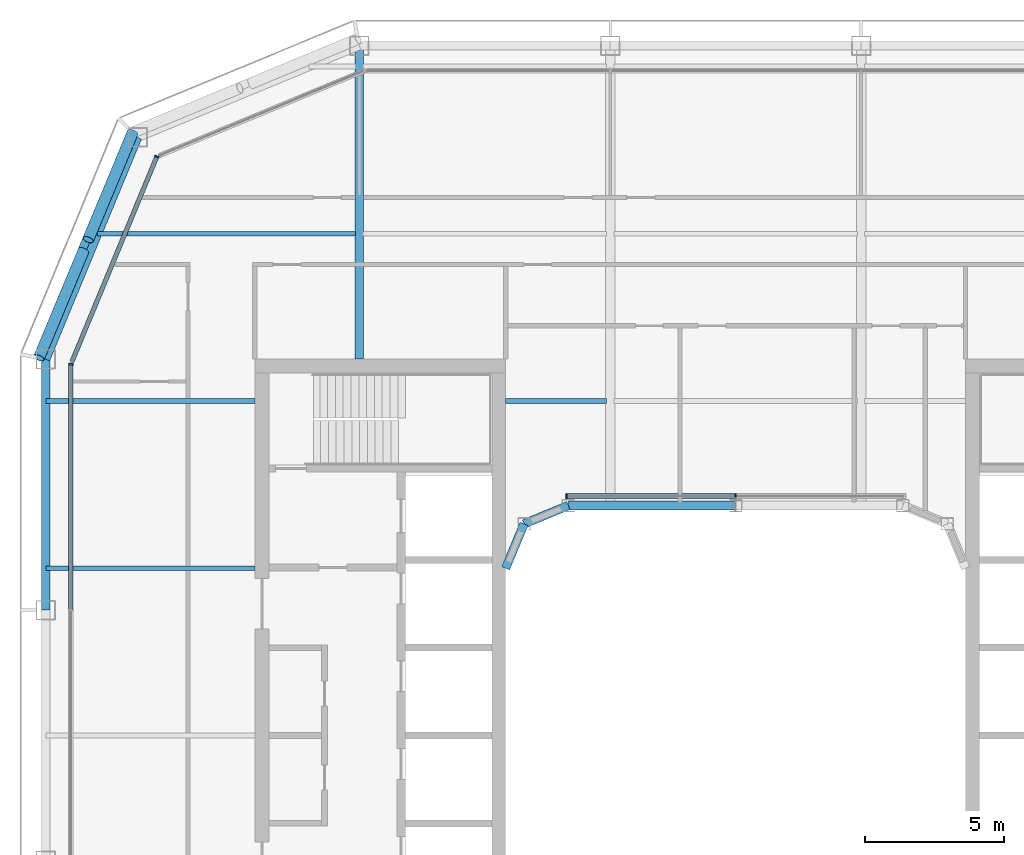
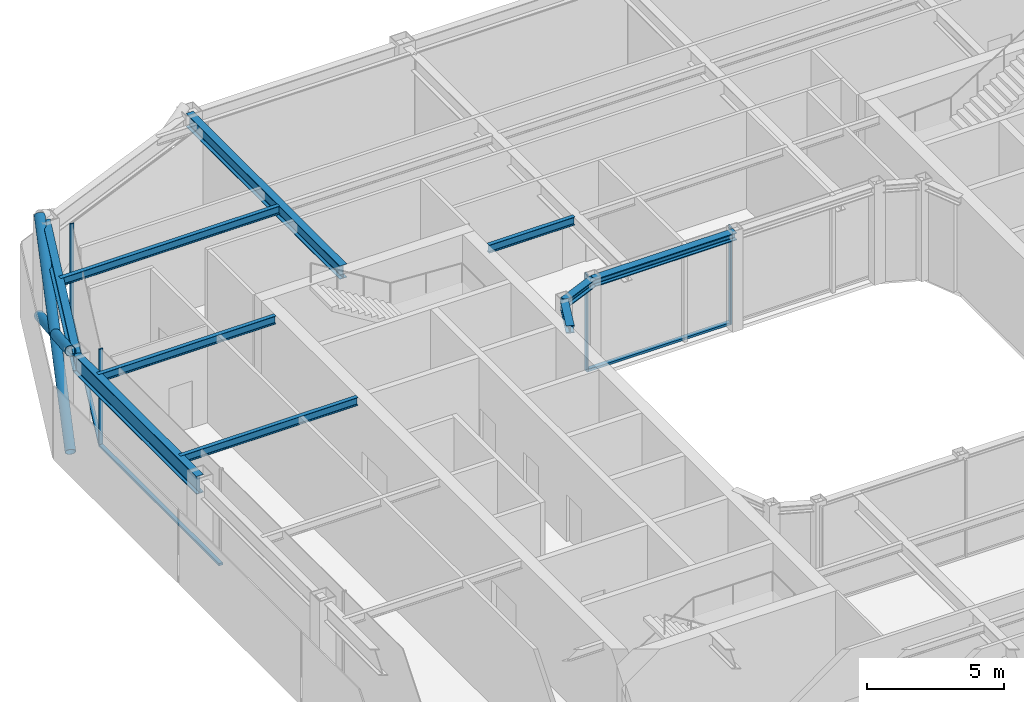
# One storey, part 7 of 21: 10 beams, 10 members, 3 elements without a shape of their own.
"""IFC4 building model written with IfcOpenShell, lengths in metres."""

from ifc_helpers import new_model, si_unit, direction, frame, origin, origin_2d, place, context, subcontext, project, spatial, rectangle, hollow_circle, i_section, extrude, material, layer, layer_set, material_profile, profile_set, type_object, element, aggregate, save


model = new_model("IFC4")

# Units and contexts
model_context = context("Model", 3, precision=1e-05, world=origin(), true_north=direction((0.0, 1.0)))
body_context = subcontext(model_context, "Body", "Model", "MODEL_VIEW")
ifc_project = project(units=[si_unit("LENGTHUNIT", "METRE"), si_unit("AREAUNIT", "SQUARE_METRE"), si_unit("VOLUMEUNIT", "CUBIC_METRE"), si_unit("PLANEANGLEUNIT", "RADIAN"), si_unit("MASSUNIT", "GRAM", prefix="KILO")], contexts=[model_context])

# Site, building, storey
site_placement = place(None, origin())
site = spatial("IfcSite", under=ifc_project, at=site_placement, CompositionType="ELEMENT")
building_placement = place(site_placement, origin())
building = spatial("IfcBuilding", under=site, at=building_placement, Name="Siwar Civic Tower", CompositionType="ELEMENT")
storey_placement = place(building_placement, frame((0.0, 0.0, 339.199951171875)))
storey = spatial("IfcBuildingStorey", under=building, at=storey_placement, Name="L73", CompositionType="ELEMENT", Elevation=339.199951171875)

# Curtain wall, member
ifc_material_1 = material(Name="Aluminium clad insulated panel", Category="aluminium")
ifc_layer_1 = layer(ifc_material_1, 0.159912109375)
ifc_layer_set_1 = layer_set([ifc_layer_1], Name="Aluminium clad insulated panel")
curtain_wall_type_1 = type_object("IfcCurtainWallType", Name="ENV-CW-DX", PredefinedType="NOTDEFINED", material=ifc_layer_set_1)
curtain_wall_1_placement = place(storey_placement, origin())
curtain_wall_1 = element("IfcCurtainWall", 1, at=curtain_wall_1_placement, inside=storey, type_object=curtain_wall_type_1, Name="Curtain wall D NW2", PredefinedType="NOTDEFINED")
ifc_material_2 = material(Name="Aluminium 6063-T6", Category="aluminium")
ifc_material_profile_1 = material_profile(ifc_material_2, rectangle(XDim=0.159912109375, YDim=0.06005859375, at=origin_2d()), Name="AL 160x60")
ifc_profile_set_1 = profile_set([ifc_material_profile_1], Name="Aluminium 6063-T6")
member_type_1 = type_object("IfcMemberType", Name="ENV-MULLION-D", PredefinedType="MULLION", material=ifc_profile_set_1)
member_1_placement = place(storey_placement, frame((-20.76611328125, 20.76611328125, 0.0), z_axis=(0.0, 0.0, 1.0), x_axis=(0.923879532511, -0.382683432365, 0.0)))
member_1 = element("IfcMember", 2, at=member_1_placement, type_object=member_type_1, Name="Mullion D NW2 1", PredefinedType="MULLION", context=body_context, shape_type="SweptSolid", body=[
    extrude(rectangle(XDim=0.159912109375, YDim=0.06005859375, at=origin_2d()), origin(), (0.0, 0.0, 1.0), 4.35009765625),
])

ifc_material_3 = material(Name="Aluminium and glass", Category="aluminium")
ifc_layer_2 = layer(ifc_material_3, 0.159912109375)
ifc_layer_set_2 = layer_set([ifc_layer_2], Name="Aluminium and glass")
curtain_wall_type_2 = type_object("IfcCurtainWallType", Name="ENV-CW-D", PredefinedType="NOTDEFINED", material=ifc_layer_set_2)
curtain_wall_2_placement = place(storey_placement, origin())
curtain_wall_2 = element("IfcCurtainWall", 3, at=curtain_wall_2_placement, inside=storey, type_object=curtain_wall_type_2, Name="Curtain wall D W", PredefinedType="NOTDEFINED")
member_2_placement = place(storey_placement, frame((-23.85009765625, 13.321044921875, 0.0), z_axis=(0.0, 0.0, 1.0), x_axis=(1.0, 0.0, 0.0)))
member_2 = element("IfcMember", 4, at=member_2_placement, type_object=member_type_1, Name="Mullion D W 1", PredefinedType="MULLION", context=body_context, shape_type="SweptSolid", body=[
    extrude(rectangle(XDim=0.159912109375, YDim=0.06005859375, at=origin_2d()), origin(), (0.0, 0.0, 1.0), 4.35009765625),
])

# Curtain wall, members
ifc_material_4 = material(Name="Aluminium and glass", Category="aluminium")
ifc_layer_3 = layer(ifc_material_4, 0.179931640625)
ifc_layer_set_3 = layer_set([ifc_layer_3], Name="Aluminium and glass")
curtain_wall_type_3 = type_object("IfcCurtainWallType", Name="ENV-CW-W", PredefinedType="NOTDEFINED", material=ifc_layer_set_3)
curtain_wall_3_placement = place(storey_placement, origin())
curtain_wall_3 = element("IfcCurtainWall", 5, at=curtain_wall_3_placement, inside=storey, type_object=curtain_wall_type_3, Name="Curtain wall W WN", PredefinedType="NOTDEFINED")
ifc_material_5 = material(Name="Aluminium 6063-T6", Category="aluminium")
ifc_material_profile_2 = material_profile(ifc_material_5, rectangle(XDim=0.179931640625, YDim=0.06005859375, at=origin_2d()), Name="AL 180x60")
ifc_profile_set_2 = profile_set([ifc_material_profile_2], Name="Aluminium 6063-T6")
member_type_2 = type_object("IfcMemberType", Name="ENV-MULLION-W", PredefinedType="MULLION", material=ifc_profile_set_2)
member_3_placement = place(storey_placement, frame((0.0, 8.5849609375, 0.0), z_axis=(0.0, 0.0, 1.0), x_axis=(0.0, -1.0, 0.0)))
member_3 = element("IfcMember", 6, at=member_3_placement, type_object=member_type_2, Name="Mullion W WN 2", PredefinedType="MULLION", context=body_context, shape_type="SweptSolid", body=[
    extrude(rectangle(XDim=0.179931640625, YDim=0.06005859375, at=origin_2d()), origin(), (0.0, 0.0, 1.0), 4.35009765625),
])
member_4_placement = place(storey_placement, frame((-6.066650390625, 8.5849609375, 0.0), z_axis=(0.0, 0.0, 1.0), x_axis=(0.0, -1.0, 0.0)))
member_4 = element("IfcMember", 7, at=member_4_placement, type_object=member_type_2, Name="Mullion W WN 3", PredefinedType="MULLION", context=body_context, shape_type="SweptSolid", body=[
    extrude(rectangle(XDim=0.179931640625, YDim=0.06005859375, at=origin_2d()), origin(), (0.0, 0.0, 1.0), 4.35009765625),
])

# Member
ifc_material_6 = material(Name="Aluminium 6063-T6", Category="aluminium")
ifc_material_profile_3 = material_profile(ifc_material_6, rectangle(XDim=0.159912109375, YDim=0.10009765625, at=origin_2d()), Name="AL 160x100")
ifc_profile_set_3 = profile_set([ifc_material_profile_3], Name="Aluminium 6063-T6")
member_type_3 = type_object("IfcMemberType", Name="ENV-TRANSOM-D", PredefinedType="USERDEFINED", material=ifc_profile_set_3)
member_5_placement = place(storey_placement, frame((-20.777587890625, 20.738525390625, 0.050048828125), z_axis=(-0.382673515031, -0.923883640343, 0.0), x_axis=(0.923883640343, -0.382673515031, 0.0)))
member_5 = element("IfcMember", 8, at=member_5_placement, type_object=member_type_3, Name="Transom D NW2 1", ObjectType="TRANSOM", PredefinedType="USERDEFINED", context=body_context, shape_type="SweptSolid", body=[
    extrude(rectangle(XDim=0.159912109375, YDim=0.10009765625, at=origin_2d()), origin(), (0.0, 0.0, 1.0), 7.930908203125),
])

aggregate(curtain_wall_1, [member_1, member_5])

member_6_placement = place(storey_placement, frame((-23.85009765625, 13.291015625, 0.050048828125), z_axis=(0.0, -1.0, 0.0), x_axis=(1.0, 0.0, 0.0)))
member_6 = element("IfcMember", 9, at=member_6_placement, type_object=member_type_3, Name="Transom D W 1", ObjectType="TRANSOM", PredefinedType="USERDEFINED", context=body_context, shape_type="SweptSolid", body=[
    extrude(rectangle(XDim=0.159912109375, YDim=0.10009765625, at=origin_2d()), origin(), (0.0, 0.0, 1.0), 8.760986328125),
])

aggregate(curtain_wall_2, [member_2, member_6])

ifc_material_7 = material(Name="Aluminium 6063-T6", Category="aluminium")
ifc_material_profile_4 = material_profile(ifc_material_7, rectangle(XDim=0.179931640625, YDim=0.10009765625, at=origin_2d()), Name="AL 180x100")
ifc_profile_set_4 = profile_set([ifc_material_profile_4], Name="Aluminium 6063-T6")
member_type_4 = type_object("IfcMemberType", Name="ENV-TRANSOM-W", PredefinedType="USERDEFINED", material=ifc_profile_set_4)
member_7_placement = place(storey_placement, frame((-0.030029296875, 8.5849609375, 0.050048828125), z_axis=(-1.0, 0.0, 0.0), x_axis=(0.0, -1.0, 0.0)))
member_7 = element("IfcMember", 10, at=member_7_placement, type_object=member_type_4, Name="Transom W WN 2", ObjectType="TRANSOM", PredefinedType="USERDEFINED", context=body_context, shape_type="SweptSolid", body=[
    extrude(rectangle(XDim=0.179931640625, YDim=0.10009765625, at=origin_2d()), origin(), (0.0, 0.0, 1.0), 6.006591796875),
])

aggregate(curtain_wall_3, [member_3, member_4, member_7])

# Members
ifc_material_8 = material(Name="Steel S355", Category="steel")
ifc_material_profile_5 = material_profile(ifc_material_8, hollow_circle(Radius=0.203125, WallThickness=0.01611328125, at=origin_2d()), Name="CHS406.4x16")
ifc_profile_set_5 = profile_set([ifc_material_profile_5], Name="Steel S355")
member_type_5 = type_object("IfcMemberType", Name="STR-BR-CHS406.4x16", PredefinedType="BRACE", material=ifc_profile_set_5)
member_8_placement = place(storey_placement, frame((-24.9951171875, 13.548828125, 0.0), z_axis=(0.341671493852, 0.821142553604, 0.457149315816), x_axis=(-0.923264922524, 0.384163874976, 0.0)))
element("IfcMember", 11, at=member_8_placement, inside=storey, type_object=member_type_5, Name="L73/brc/DNW1-12-0-1", PredefinedType="BRACE", context=body_context, shape_type="SweptSolid", body=[
    extrude(hollow_circle(Radius=0.203125, WallThickness=0.01611328125, at=origin_2d()), origin(), (0.0, 0.0, 1.0), 9.843505859375),
])
member_9_placement = place(storey_placement, frame((-21.6318359375, 21.6318359375, 0.0), z_axis=(-0.341644380467, -0.821147096886, 0.457161418507), x_axis=(0.923276488787, -0.38413607648, 0.0)))
element("IfcMember", 12, at=member_9_placement, inside=storey, type_object=member_type_5, Name="L73/brc/DNW1-12-0-2", PredefinedType="BRACE", context=body_context, shape_type="SweptSolid", body=[
    extrude(hollow_circle(Radius=0.203125, WallThickness=0.01611328125, at=origin_2d()), origin(), (0.0, 0.0, 1.0), 4.677001953125),
])
member_10_placement = place(storey_placement, frame((-23.397216796875, 17.38916015625, 2.362060546875), z_axis=(-0.341667178655, -0.821149689876, 0.457139722456), x_axis=(0.923267827529, -0.384156893273, 0.0)))
element("IfcMember", 13, at=member_10_placement, inside=storey, type_object=member_type_5, Name="L73/brc/DNW1-12-0-3", PredefinedType="BRACE", context=body_context, shape_type="SweptSolid", body=[
    extrude(hollow_circle(Radius=0.203125, WallThickness=0.01611328125, at=origin_2d()), origin(), (0.0, 0.0, 1.0), 4.6767578125),
])

# Beams
ifc_material_9 = material(Name="Steel S355", Category="steel")
ifc_material_profile_6 = material_profile(ifc_material_9, i_section(OverallWidth=0.169921875, OverallDepth=0.360107421875, WebThickness=0.008056640625, FlangeThickness=0.0126953125, FilletRadius=0.01806640625, at=origin_2d()), Name="IPE360")
ifc_profile_set_6 = profile_set([ifc_material_profile_6], Name="Steel S355")
beam_type_1 = type_object("IfcBeamType", Name="STR-FB-IPE360", PredefinedType="JOIST", material=ifc_profile_set_6)
for number, where, z_axis, x_axis, name in (
    (14, (-24.75, 6.0, 4.170166015625), (1.0, 0.0, 0.0), (0.0, 1.0, 0.0), "L73/bm/F020"),
    (15, (-24.75, 12.0, 4.170166015625), (1.0, 0.0, 0.0), (0.0, 1.0, 0.0), "L73/bm/F022"),
):
    element("IfcBeam", number, at=place(storey_placement, frame(where, z_axis=z_axis, x_axis=x_axis)), inside=storey, type_object=beam_type_1, Name=name, PredefinedType="JOIST", context=body_context, shape_type="SweptSolid", body=[
        extrude(i_section(OverallWidth=0.169921875, OverallDepth=0.360107421875, WebThickness=0.008056640625, FlangeThickness=0.0126953125, FilletRadius=0.01806640625, at=origin_2d()), origin(), (0.0, 0.0, 1.0), 7.5),
    ])
beam_1_placement = place(storey_placement, frame((-8.25, 12.0, 4.170166015625), z_axis=(1.0, 0.0, 0.0), x_axis=(0.0, 1.0, 0.0)))
element("IfcBeam", 16, at=beam_1_placement, inside=storey, type_object=beam_type_1, Name="L73/bm/F023", PredefinedType="JOIST", context=body_context, shape_type="SweptSolid", body=[
    extrude(i_section(OverallWidth=0.169921875, OverallDepth=0.360107421875, WebThickness=0.008056640625, FlangeThickness=0.0126953125, FilletRadius=0.01806640625, at=origin_2d()), origin(), (0.0, 0.0, 1.0), 3.6201171875),
])
beam_2_placement = place(storey_placement, frame((-22.885986328125, 18.0, 4.170166015625), z_axis=(1.0, 0.0, 0.0), x_axis=(0.0, 1.0, 0.0)))
element("IfcBeam", 17, at=beam_2_placement, inside=storey, type_object=beam_type_1, Name="L73/bm/F027", PredefinedType="JOIST", context=body_context, shape_type="SweptSolid", body=[
    extrude(i_section(OverallWidth=0.169921875, OverallDepth=0.360107421875, WebThickness=0.008056640625, FlangeThickness=0.0126953125, FilletRadius=0.01806640625, at=origin_2d()), origin(), (0.0, 0.0, 1.0), 9.256103515625),
])
ifc_material_10 = material(Name="Steel S355", Category="steel")
ifc_material_profile_7 = material_profile(ifc_material_10, i_section(OverallWidth=0.300048828125, OverallDepth=0.60009765625, WebThickness=0.015380859375, FlangeThickness=0.030029296875, FilletRadius=0.027099609375, at=origin_2d()), Name="HEB600")
ifc_profile_set_7 = profile_set([ifc_material_profile_7], Name="Steel S355")
beam_type_2 = type_object("IfcBeamType", Name="STR-PG-HEB600", PredefinedType="BEAM", material=ifc_profile_set_7)
beam_3_placement = place(storey_placement, frame((-13.5, 13.5, 4.050048828125), z_axis=(0.0, 1.0, 0.0), x_axis=(-1.0, 0.0, 0.0)))
element("IfcBeam", 18, at=beam_3_placement, inside=storey, type_object=beam_type_2, Name="L73/bm/G02", PredefinedType="BEAM", context=body_context, shape_type="SweptSolid", body=[
    extrude(i_section(OverallWidth=0.300048828125, OverallDepth=0.60009765625, WebThickness=0.015380859375, FlangeThickness=0.030029296875, FilletRadius=0.027099609375, at=origin_2d()), origin(), (0.0, 0.0, 1.0), 11.25),
])
ifc_material_11 = material(Name="Steel S355", Category="steel")
ifc_material_profile_8 = material_profile(ifc_material_11, i_section(OverallWidth=0.31005859375, OverallDepth=0.340087890625, WebThickness=0.02099609375, FlangeThickness=0.0390625, FilletRadius=0.027099609375, at=origin_2d()), Name="HEM300")
ifc_profile_set_8 = profile_set([ifc_material_profile_8], Name="Steel S355")
beam_type_3 = type_object("IfcBeamType", Name="STR-RB-HEM300", PredefinedType="BEAM", material=ifc_profile_set_8)
beam_4_placement = place(storey_placement, frame((-7.591064453125, 7.591064453125, 4.179931640625), z_axis=(0.923901072997, 0.382631424892, 0.0), x_axis=(-0.382631424892, 0.923901072997, 0.0)))
element("IfcBeam", 19, at=beam_4_placement, inside=storey, type_object=beam_type_3, Name="L73/bm/RN0", PredefinedType="BEAM", context=body_context, shape_type="SweptSolid", body=[
    extrude(i_section(OverallWidth=0.31005859375, OverallDepth=0.340087890625, WebThickness=0.02099609375, FlangeThickness=0.0390625, FilletRadius=0.027099609375, at=origin_2d()), origin(), (0.0, 0.0, 1.0), 1.72216796875),
])
beam_5_placement = place(storey_placement, frame((-6.0, 8.25, 4.179931640625), z_axis=(1.0, 0.0, 0.0), x_axis=(0.0, 1.0, 0.0)))
element("IfcBeam", 20, at=beam_5_placement, inside=storey, type_object=beam_type_3, Name="L73/bm/RN1", PredefinedType="BEAM", context=body_context, shape_type="SweptSolid", body=[
    extrude(i_section(OverallWidth=0.31005859375, OverallDepth=0.340087890625, WebThickness=0.02099609375, FlangeThickness=0.0390625, FilletRadius=0.027099609375, at=origin_2d()), origin(), (0.0, 0.0, 1.0), 6.0),
])
beam_6_placement = place(storey_placement, frame((-7.591064453125, 7.591064453125, 4.179931640625), z_axis=(-0.382631424892, -0.923901072997, 0.0), x_axis=(0.923901072997, -0.382631424892, 0.0)))
element("IfcBeam", 21, at=beam_6_placement, inside=storey, type_object=beam_type_3, Name="L73/bm/RNEW", PredefinedType="BEAM", context=body_context, shape_type="SweptSolid", body=[
    extrude(i_section(OverallWidth=0.31005859375, OverallDepth=0.340087890625, WebThickness=0.02099609375, FlangeThickness=0.0390625, FilletRadius=0.027099609375, at=origin_2d()), origin(), (0.0, 0.0, 1.0), 1.72216796875),
])
ifc_material_12 = material(Name="Steel S355", Category="steel")
ifc_material_profile_9 = material_profile(ifc_material_12, i_section(OverallWidth=0.300048828125, OverallDepth=0.800048828125, WebThickness=0.017578125, FlangeThickness=0.032958984375, FilletRadius=0.030029296875, at=origin_2d()), Name="HEB800")
ifc_profile_set_9 = profile_set([ifc_material_profile_9], Name="Steel S355")
beam_type_4 = type_object("IfcBeamType", Name="STR-SB-HEB800", PredefinedType="BEAM", material=ifc_profile_set_9)
beam_7_placement = place(storey_placement, frame((-21.454833984375, 21.454833984375, 3.949951171875), z_axis=(-0.382699877515, -0.923872720536, 0.0), x_axis=(0.923872720536, -0.382699877515, 0.0)))
element("IfcBeam", 22, at=beam_7_placement, inside=storey, type_object=beam_type_4, Name="L73/bm/SNW2-0", PredefinedType="BEAM", context=body_context, shape_type="SweptSolid", body=[
    extrude(i_section(OverallWidth=0.300048828125, OverallDepth=0.800048828125, WebThickness=0.017578125, FlangeThickness=0.032958984375, FilletRadius=0.030029296875, at=origin_2d()), origin(), (0.0, 0.0, 1.0), 8.6103515625),
])
beam_8_placement = place(storey_placement, frame((-24.75, 13.5, 3.949951171875), z_axis=(0.0, -1.0, 0.0), x_axis=(1.0, 0.0, 0.0)))
element("IfcBeam", 23, at=beam_8_placement, inside=storey, type_object=beam_type_4, Name="L73/bm/SW-0", PredefinedType="BEAM", context=body_context, shape_type="SweptSolid", body=[
    extrude(i_section(OverallWidth=0.300048828125, OverallDepth=0.800048828125, WebThickness=0.017578125, FlangeThickness=0.032958984375, FilletRadius=0.030029296875, at=origin_2d()), origin(), (0.0, 0.0, 1.0), 9.0),
])

save(model, "model.ifc")
